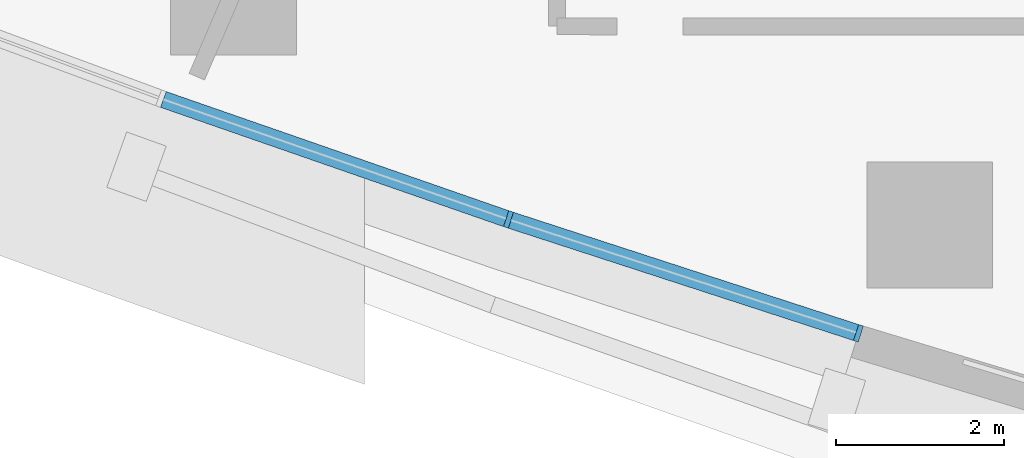
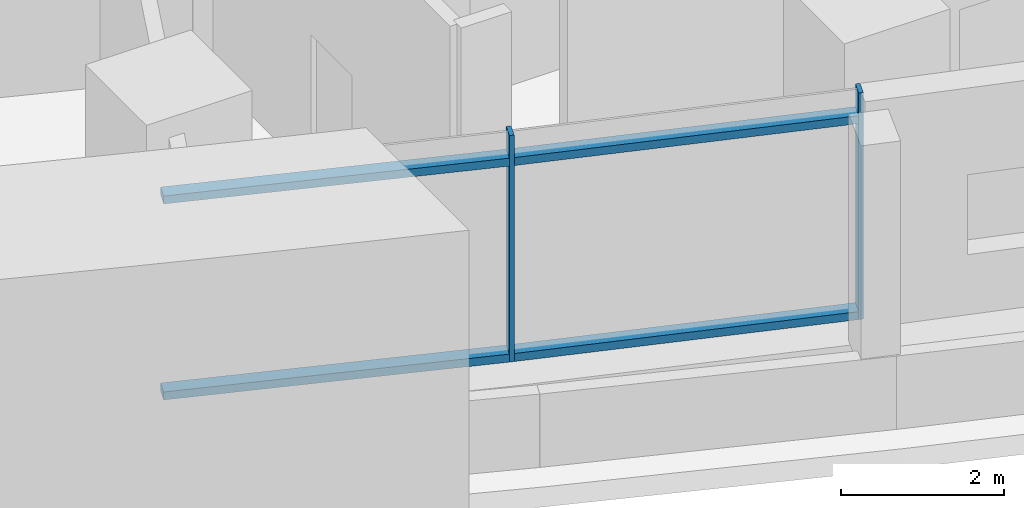
# One storey, part 3 of 17: 6 members, 1 element without a shape of its own.
"""IFC4 building model written with IfcOpenShell, lengths in metres."""

from ifc_helpers import new_model, si_unit, direction, frame, origin, origin_2d, place, context, subcontext, project, spatial, rectangle, extrude, material, layer, layer_set, material_profile, profile_set, type_object, element, aggregate, save


model = new_model("IFC4")

# Units and contexts
model_context = context("Model", 3, precision=1e-05, world=origin(), true_north=direction((0.0, 1.0)))
body_context = subcontext(model_context, "Body", "Model", "MODEL_VIEW")
ifc_project = project(units=[si_unit("LENGTHUNIT", "METRE"), si_unit("AREAUNIT", "SQUARE_METRE"), si_unit("VOLUMEUNIT", "CUBIC_METRE"), si_unit("PLANEANGLEUNIT", "RADIAN"), si_unit("MASSUNIT", "GRAM", prefix="KILO")], contexts=[model_context])

# Site, building, storey
site_placement = place(None, origin())
site = spatial("IfcSite", under=ifc_project, at=site_placement, CompositionType="ELEMENT")
building_placement = place(site_placement, origin())
building = spatial("IfcBuilding", under=site, at=building_placement, Name="Ostrand Prow Hotel Tower", CompositionType="ELEMENT")
storey_placement = place(building_placement, frame((0.0, 0.0, 125.60009765625)))
storey = spatial("IfcBuildingStorey", under=building, at=storey_placement, Name="L30", CompositionType="ELEMENT", Elevation=125.60009765625)

# Curtain wall, members
ifc_material_1 = material(Name="Insulated glass in bronze anodised frame", Category="glass")
ifc_layer = layer(ifc_material_1, 0.199951171875)
ifc_layer_set = layer_set([ifc_layer], Name="Insulated glass in bronze anodised frame")
curtain_wall_type = type_object("IfcCurtainWallType", Name="Sky lobby full-height curtain wall", PredefinedType="NOTDEFINED", material=ifc_layer_set)
curtain_wall_placement = place(storey_placement, origin())
curtain_wall = element("IfcCurtainWall", 1, at=curtain_wall_placement, inside=storey, type_object=curtain_wall_type, Name="CW3 run CWS5", PredefinedType="NOTDEFINED")
ifc_material_2 = material(Name="Bronze anodised aluminium", Category="aluminium")
ifc_material_profile_1 = material_profile(ifc_material_2, rectangle(XDim=0.199951171875, YDim=0.06005859375, at=origin_2d()), Name="Mullion 60x200 bronze anodised aluminium")
ifc_profile_set_1 = profile_set([ifc_material_profile_1], Name="Bronze anodised aluminium")
member_type_1 = type_object("IfcMemberType", Name="Mullion 60x200 bronze anodised aluminium", PredefinedType="MULLION", material=ifc_profile_set_1)
member_1_placement = place(storey_placement, frame((47.718017578125, -22.8046875, 0.89990234375), z_axis=(0.0, 0.0, 1.0), x_axis=(0.309380491373, 0.950938332153, 0.0)))
member_1 = element("IfcMember", 2, at=member_1_placement, type_object=member_type_1, Name="CW3 mullion 2", PredefinedType="MULLION", context=body_context, shape_type="SweptSolid", body=[
    extrude(rectangle(XDim=0.199951171875, YDim=0.06005859375, at=origin_2d()), origin(), (0.0, 0.0, 1.0), 3.39990234375),
])
member_2_placement = place(storey_placement, frame((51.888916015625, -24.16162109375, 0.89990234375), z_axis=(0.0, 0.0, 1.0), x_axis=(0.309380491373, 0.950938332153, 0.0)))
member_2 = element("IfcMember", 3, at=member_2_placement, type_object=member_type_1, Name="CW3 mullion 3", PredefinedType="MULLION", context=body_context, shape_type="SweptSolid", body=[
    extrude(rectangle(XDim=0.199951171875, YDim=0.06005859375, at=origin_2d()), origin(), (0.0, 0.0, 1.0), 3.39990234375),
])
ifc_material_3 = material(Name="Bronze anodised aluminium", Category="aluminium")
ifc_material_profile_2 = material_profile(ifc_material_3, rectangle(XDim=0.199951171875, YDim=0.1201171875, at=origin_2d()), Name="Transom 120x200 bronze anodised aluminium")
ifc_profile_set_2 = profile_set([ifc_material_profile_2], Name="Bronze anodised aluminium")
member_type_2 = type_object("IfcMemberType", Name="Transom 120x200 bronze anodised aluminium", PredefinedType="USERDEFINED", material=ifc_profile_set_2)
member_3_placement = place(storey_placement, frame((43.603515625, -21.3740234375, 0.9599609375), z_axis=(0.944524201162, -0.328441826538, 0.0), x_axis=(0.328441826538, 0.944524201162, 0.0)))
member_3 = element("IfcMember", 4, at=member_3_placement, type_object=member_type_2, Name="CW3 transom 1.1", ObjectType="TRANSOM", PredefinedType="USERDEFINED", context=body_context, shape_type="SweptSolid", body=[
    extrude(rectangle(XDim=0.199951171875, YDim=0.1201171875, at=origin_2d()), origin(), (0.0, 0.0, 1.0), 4.326171875),
])
member_4_placement = place(storey_placement, frame((43.603515625, -21.3740234375, 3.89990234375), z_axis=(0.944524201162, -0.328441826538, 0.0), x_axis=(0.328441826538, 0.944524201162, 0.0)))
member_4 = element("IfcMember", 5, at=member_4_placement, type_object=member_type_2, Name="CW3 transom 1.2", ObjectType="TRANSOM", PredefinedType="USERDEFINED", context=body_context, shape_type="SweptSolid", body=[
    extrude(rectangle(XDim=0.199951171875, YDim=0.1201171875, at=origin_2d()), origin(), (0.0, 0.0, 1.0), 4.326171875),
])
member_5_placement = place(storey_placement, frame((47.74658203125, -22.81396484375, 0.9599609375), z_axis=(0.950938634958, -0.309379560643, 0.0), x_axis=(0.309379560643, 0.950938634958, 0.0)))
member_5 = element("IfcMember", 6, at=member_5_placement, type_object=member_type_2, Name="CW3 transom 2.1", ObjectType="TRANSOM", PredefinedType="USERDEFINED", context=body_context, shape_type="SweptSolid", body=[
    extrude(rectangle(XDim=0.199951171875, YDim=0.1201171875, at=origin_2d()), origin(), (0.0, 0.0, 1.0), 4.325927734375),
])
member_6_placement = place(storey_placement, frame((47.74658203125, -22.81396484375, 3.89990234375), z_axis=(0.950938634958, -0.309379560643, 0.0), x_axis=(0.309379560643, 0.950938634958, 0.0)))
member_6 = element("IfcMember", 7, at=member_6_placement, type_object=member_type_2, Name="CW3 transom 2.2", ObjectType="TRANSOM", PredefinedType="USERDEFINED", context=body_context, shape_type="SweptSolid", body=[
    extrude(rectangle(XDim=0.199951171875, YDim=0.1201171875, at=origin_2d()), origin(), (0.0, 0.0, 1.0), 4.325927734375),
])
aggregate(curtain_wall, [member_1, member_2, member_3, member_4, member_5, member_6])

save(model, "model.ifc")
